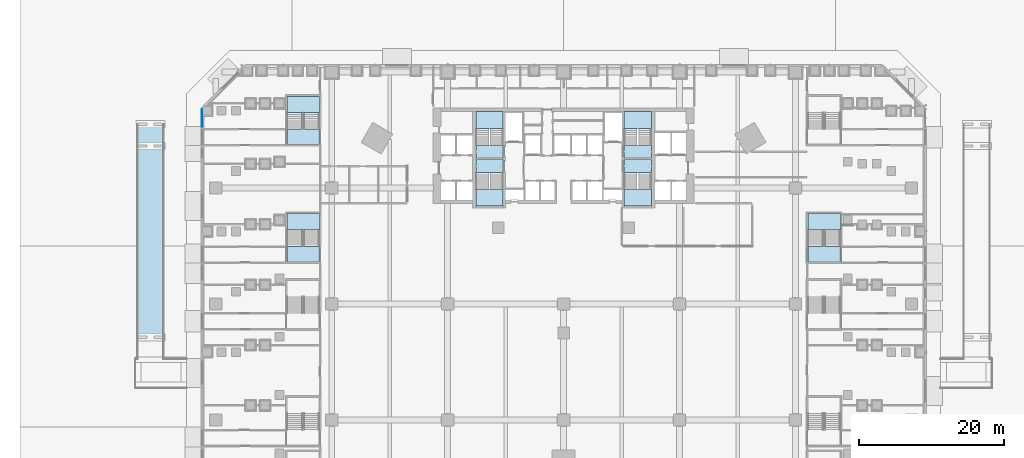
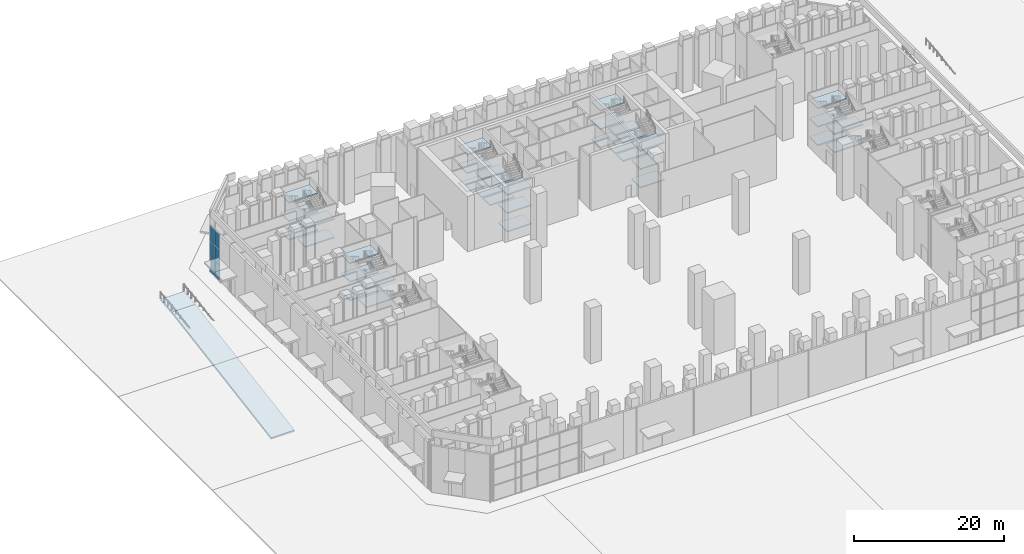
# One storey, part 16 of 51: 37 slabs, 6 plates, 9 elements without a shape of their own.
"""IFC4 building model written with IfcOpenShell, lengths in metres."""

from ifc_helpers import new_model, si_unit, direction, frame, origin, origin_2d, place, context, subcontext, project, spatial, polyline, rectangle, outline, extrude, material, layer, layer_set, type_object, element, aggregate, save


model = new_model("IFC4")

# Units and contexts
model_context = context("Model", 3, precision=1e-05, world=origin(), true_north=direction((0.0, 1.0)))
body_context = subcontext(model_context, "Body", "Model", "MODEL_VIEW")
ifc_project = project(units=[si_unit("LENGTHUNIT", "METRE"), si_unit("AREAUNIT", "SQUARE_METRE"), si_unit("VOLUMEUNIT", "CUBIC_METRE"), si_unit("PLANEANGLEUNIT", "RADIAN"), si_unit("MASSUNIT", "GRAM", prefix="KILO")], contexts=[model_context])

# Site, building, storey
site_placement = place(None, origin())
site = spatial("IfcSite", under=ifc_project, at=site_placement, CompositionType="ELEMENT")
building_placement = place(site_placement, origin())
building = spatial("IfcBuilding", under=site, at=building_placement, Name="Calabash Gate Tower", CompositionType="ELEMENT")
storey_placement = place(building_placement, origin())
storey = spatial("IfcBuildingStorey", under=building, at=storey_placement, Name="L00", CompositionType="ELEMENT", Elevation=0.0)

# Curtain wall, plates
ifc_material_1 = material(Name="Anodised aluminium frame, bronze finish, clear laminated impact-rated glazing", Category="aluminium")
curtain_wall_type = type_object("IfcCurtainWallType", Name="Curtain wall CWF podium shopfront", PredefinedType="NOTDEFINED", material=ifc_material_1)
curtain_wall_placement = place(storey_placement, origin())
curtain_wall = element("IfcCurtainWall", 1, at=curtain_wall_placement, inside=storey, type_object=curtain_wall_type, Name="Curtain wall CWF L00 6.0.0", PredefinedType="NOTDEFINED")
ifc_material_2 = material(Name="Clear laminated impact-rated glazing", Category="glass")
ifc_layer_1 = layer(ifc_material_2, 0.035888671875)
ifc_layer_set_1 = layer_set([ifc_layer_1], Name="Glass panel CWF 36")
plate_type = type_object("IfcPlateType", Name="Glass panel CWF 36", PredefinedType="CURTAIN_PANEL", material=ifc_layer_set_1)
plate_1_placement = place(storey_placement, frame((-49.89990234375, 18.296142578125, 0.06494140625), z_axis=(0.0, 0.0, 1.0), x_axis=(0.0, -1.0, 0.0)))
plate_1 = element("IfcPlate", 2, at=plate_1_placement, type_object=plate_type, Name="CWF panel 1.1", PredefinedType="CURTAIN_PANEL", context=body_context, shape_type="SweptSolid", body=[
    extrude(rectangle(XDim=1.177490234375, YDim=0.035888671875, at=origin_2d()), origin(), (0.0, 0.0, 1.0), 2.435791015625),
])
plate_2_placement = place(storey_placement, frame((-49.89990234375, 18.296142578125, 2.56591796875), z_axis=(0.0, 0.0, 1.0), x_axis=(0.0, -1.0, 0.0)))
plate_2 = element("IfcPlate", 3, at=plate_2_placement, type_object=plate_type, Name="CWF panel 1.2", PredefinedType="CURTAIN_PANEL", context=body_context, shape_type="SweptSolid", body=[
    extrude(rectangle(XDim=1.177490234375, YDim=0.035888671875, at=origin_2d()), origin(), (0.0, 0.0, 1.0), 2.46826171875),
])
plate_3_placement = place(storey_placement, frame((-49.89990234375, 18.296142578125, 5.09912109375), z_axis=(0.0, 0.0, 1.0), x_axis=(0.0, -1.0, 0.0)))
plate_3 = element("IfcPlate", 4, at=plate_3_placement, type_object=plate_type, Name="CWF panel 1.3", PredefinedType="CURTAIN_PANEL", context=body_context, shape_type="SweptSolid", body=[
    extrude(rectangle(XDim=1.177490234375, YDim=0.035888671875, at=origin_2d()), origin(), (0.0, 0.0, 1.0), 2.435791015625),
])
plate_4_placement = place(storey_placement, frame((-49.89990234375, 17.0537109375, 0.06494140625), z_axis=(0.0, 0.0, 1.0), x_axis=(0.0, -1.0, 0.0)))
plate_4 = element("IfcPlate", 5, at=plate_4_placement, type_object=plate_type, Name="CWF panel 2.1", PredefinedType="CURTAIN_PANEL", context=body_context, shape_type="SweptSolid", body=[
    extrude(rectangle(XDim=1.177490234375, YDim=0.035888671875, at=origin_2d()), origin(), (0.0, 0.0, 1.0), 2.435791015625),
])
plate_5_placement = place(storey_placement, frame((-49.89990234375, 17.0537109375, 2.56591796875), z_axis=(0.0, 0.0, 1.0), x_axis=(0.0, -1.0, 0.0)))
plate_5 = element("IfcPlate", 6, at=plate_5_placement, type_object=plate_type, Name="CWF panel 2.2", PredefinedType="CURTAIN_PANEL", context=body_context, shape_type="SweptSolid", body=[
    extrude(rectangle(XDim=1.177490234375, YDim=0.035888671875, at=origin_2d()), origin(), (0.0, 0.0, 1.0), 2.46826171875),
])
plate_6_placement = place(storey_placement, frame((-49.89990234375, 17.0537109375, 5.09912109375), z_axis=(0.0, 0.0, 1.0), x_axis=(0.0, -1.0, 0.0)))
plate_6 = element("IfcPlate", 7, at=plate_6_placement, type_object=plate_type, Name="CWF panel 2.3", PredefinedType="CURTAIN_PANEL", context=body_context, shape_type="SweptSolid", body=[
    extrude(rectangle(XDim=1.177490234375, YDim=0.035888671875, at=origin_2d()), origin(), (0.0, 0.0, 1.0), 2.435791015625),
])
aggregate(curtain_wall, [plate_1, plate_2, plate_3, plate_4, plate_5, plate_6])

# Stair, slabs
ifc_material_3 = material(Name="Concrete C40/50", Category="concrete")
stair_type_1 = type_object("IfcStairType", Name="Exit stair 54 risers of 166.7 mm", PredefinedType="HALF_TURN_STAIR", material=ifc_material_3)
stair_1_placement = place(storey_placement, origin())
stair_1 = element("IfcStair", 8, at=stair_1_placement, inside=storey, type_object=stair_type_1, Name="L00 Exit stair ST1", PredefinedType="HALF_TURN_STAIR")
ifc_material_4 = material(Name="Concrete C40/50", Category="concrete")
ifc_layer_2 = layer(ifc_material_4, 0.199951171875)
ifc_layer_set_2 = layer_set([ifc_layer_2], Name="Stair landing SL200")
slab_type_1 = type_object("IfcSlabType", Name="Stair landing SL200", PredefinedType="LANDING", material=ifc_layer_set_2)
slab_1_placement = place(storey_placement, frame((0.0, 0.0, 1.300048828125)))
slab_1 = element("IfcSlab", 9, at=slab_1_placement, type_object=slab_type_1, Name="ST1 landing 1", PredefinedType="LANDING", context=body_context, shape_type="SweptSolid", body=[
    extrude(outline(polyline([(-8.35009765625, 16.1845703125), (-8.35009765625, 18.552490234375), (-12.10009765625, 18.552490234375), (-12.10009765625, 16.1845703125), (-8.35009765625, 16.1845703125)])), origin(), (0.0, 0.0, 1.0), 0.199951171875),
])
slab_2_placement = place(storey_placement, frame((0.0, 0.0, 2.800048828125)))
slab_2 = element("IfcSlab", 10, at=slab_2_placement, type_object=slab_type_1, Name="ST1 landing 2", PredefinedType="LANDING", context=body_context, shape_type="SweptSolid", body=[
    extrude(outline(polyline([(-8.35009765625, 12.152587890625), (-8.35009765625, 13.95263671875), (-12.10009765625, 13.95263671875), (-12.10009765625, 12.152587890625), (-8.35009765625, 12.152587890625)])), origin(), (0.0, 0.0, 1.0), 0.199951171875),
])
slab_3_placement = place(storey_placement, frame((0.0, 0.0, 4.300048828125)))
slab_3 = element("IfcSlab", 11, at=slab_3_placement, type_object=slab_type_1, Name="ST1 landing 3", PredefinedType="LANDING", context=body_context, shape_type="SweptSolid", body=[
    extrude(outline(polyline([(-8.35009765625, 16.1845703125), (-8.35009765625, 18.552490234375), (-12.10009765625, 18.552490234375), (-12.10009765625, 16.1845703125), (-8.35009765625, 16.1845703125)])), origin(), (0.0, 0.0, 1.0), 0.199951171875),
])
slab_4_placement = place(storey_placement, frame((0.0, 0.0, 5.800048828125)))
slab_4 = element("IfcSlab", 12, at=slab_4_placement, type_object=slab_type_1, Name="ST1 landing 4", PredefinedType="LANDING", context=body_context, shape_type="SweptSolid", body=[
    extrude(outline(polyline([(-8.35009765625, 12.152587890625), (-8.35009765625, 13.95263671875), (-12.10009765625, 13.95263671875), (-12.10009765625, 12.152587890625), (-8.35009765625, 12.152587890625)])), origin(), (0.0, 0.0, 1.0), 0.199951171875),
])
slab_5_placement = place(storey_placement, frame((0.0, 0.0, 7.300048828125)))
slab_5 = element("IfcSlab", 13, at=slab_5_placement, type_object=slab_type_1, Name="ST1 landing 5", PredefinedType="LANDING", context=body_context, shape_type="SweptSolid", body=[
    extrude(outline(polyline([(-8.35009765625, 16.1845703125), (-8.35009765625, 18.552490234375), (-12.10009765625, 18.552490234375), (-12.10009765625, 16.1845703125), (-8.35009765625, 16.1845703125)])), origin(), (0.0, 0.0, 1.0), 0.199951171875),
])
aggregate(stair_1, [slab_1, slab_2, slab_3, slab_4, slab_5])

stair_2_placement = place(storey_placement, origin())
stair_2 = element("IfcStair", 14, at=stair_2_placement, inside=storey, type_object=stair_type_1, Name="L00 Exit stair ST2", PredefinedType="HALF_TURN_STAIR")
slab_6_placement = place(storey_placement, frame((0.0, 0.0, 1.300048828125)))
slab_6 = element("IfcSlab", 15, at=slab_6_placement, type_object=slab_type_1, Name="ST2 landing 1", PredefinedType="LANDING", context=body_context, shape_type="SweptSolid", body=[
    extrude(outline(polyline([(-12.10009765625, 7.87060546875), (-12.10009765625, 5.502685546875), (-8.35009765625, 5.502685546875), (-8.35009765625, 7.87060546875), (-12.10009765625, 7.87060546875)])), origin(), (0.0, 0.0, 1.0), 0.199951171875),
])
slab_7_placement = place(storey_placement, frame((0.0, 0.0, 2.800048828125)))
slab_7 = element("IfcSlab", 16, at=slab_7_placement, type_object=slab_type_1, Name="ST2 landing 2", PredefinedType="LANDING", context=body_context, shape_type="SweptSolid", body=[
    extrude(outline(polyline([(-12.10009765625, 11.902587890625), (-12.10009765625, 10.1025390625), (-8.35009765625, 10.1025390625), (-8.35009765625, 11.902587890625), (-12.10009765625, 11.902587890625)])), origin(), (0.0, 0.0, 1.0), 0.199951171875),
])
slab_8_placement = place(storey_placement, frame((0.0, 0.0, 4.300048828125)))
slab_8 = element("IfcSlab", 17, at=slab_8_placement, type_object=slab_type_1, Name="ST2 landing 3", PredefinedType="LANDING", context=body_context, shape_type="SweptSolid", body=[
    extrude(outline(polyline([(-12.10009765625, 7.87060546875), (-12.10009765625, 5.502685546875), (-8.35009765625, 5.502685546875), (-8.35009765625, 7.87060546875), (-12.10009765625, 7.87060546875)])), origin(), (0.0, 0.0, 1.0), 0.199951171875),
])
slab_9_placement = place(storey_placement, frame((0.0, 0.0, 5.800048828125)))
slab_9 = element("IfcSlab", 18, at=slab_9_placement, type_object=slab_type_1, Name="ST2 landing 4", PredefinedType="LANDING", context=body_context, shape_type="SweptSolid", body=[
    extrude(outline(polyline([(-12.10009765625, 11.902587890625), (-12.10009765625, 10.1025390625), (-8.35009765625, 10.1025390625), (-8.35009765625, 11.902587890625), (-12.10009765625, 11.902587890625)])), origin(), (0.0, 0.0, 1.0), 0.199951171875),
])
slab_10_placement = place(storey_placement, frame((0.0, 0.0, 7.300048828125)))
slab_10 = element("IfcSlab", 19, at=slab_10_placement, type_object=slab_type_1, Name="ST2 landing 5", PredefinedType="LANDING", context=body_context, shape_type="SweptSolid", body=[
    extrude(outline(polyline([(-12.10009765625, 7.87060546875), (-12.10009765625, 5.502685546875), (-8.35009765625, 5.502685546875), (-8.35009765625, 7.87060546875), (-12.10009765625, 7.87060546875)])), origin(), (0.0, 0.0, 1.0), 0.199951171875),
])
aggregate(stair_2, [slab_6, slab_7, slab_8, slab_9, slab_10])

stair_3_placement = place(storey_placement, origin())
stair_3 = element("IfcStair", 20, at=stair_3_placement, inside=storey, type_object=stair_type_1, Name="L00 Exit stair ST3", PredefinedType="HALF_TURN_STAIR")
slab_11_placement = place(storey_placement, frame((0.0, 0.0, 1.300048828125)))
slab_11 = element("IfcSlab", 21, at=slab_11_placement, type_object=slab_type_1, Name="ST3 landing 1", PredefinedType="LANDING", context=body_context, shape_type="SweptSolid", body=[
    extrude(outline(polyline([(12.10009765625, 16.1845703125), (12.10009765625, 18.552490234375), (8.35009765625, 18.552490234375), (8.35009765625, 16.1845703125), (12.10009765625, 16.1845703125)])), origin(), (0.0, 0.0, 1.0), 0.199951171875),
])
slab_12_placement = place(storey_placement, frame((0.0, 0.0, 2.800048828125)))
slab_12 = element("IfcSlab", 22, at=slab_12_placement, type_object=slab_type_1, Name="ST3 landing 2", PredefinedType="LANDING", context=body_context, shape_type="SweptSolid", body=[
    extrude(outline(polyline([(12.10009765625, 12.152587890625), (12.10009765625, 13.95263671875), (8.35009765625, 13.95263671875), (8.35009765625, 12.152587890625), (12.10009765625, 12.152587890625)])), origin(), (0.0, 0.0, 1.0), 0.199951171875),
])
slab_13_placement = place(storey_placement, frame((0.0, 0.0, 4.300048828125)))
slab_13 = element("IfcSlab", 23, at=slab_13_placement, type_object=slab_type_1, Name="ST3 landing 3", PredefinedType="LANDING", context=body_context, shape_type="SweptSolid", body=[
    extrude(outline(polyline([(12.10009765625, 16.1845703125), (12.10009765625, 18.552490234375), (8.35009765625, 18.552490234375), (8.35009765625, 16.1845703125), (12.10009765625, 16.1845703125)])), origin(), (0.0, 0.0, 1.0), 0.199951171875),
])
slab_14_placement = place(storey_placement, frame((0.0, 0.0, 5.800048828125)))
slab_14 = element("IfcSlab", 24, at=slab_14_placement, type_object=slab_type_1, Name="ST3 landing 4", PredefinedType="LANDING", context=body_context, shape_type="SweptSolid", body=[
    extrude(outline(polyline([(12.10009765625, 12.152587890625), (12.10009765625, 13.95263671875), (8.35009765625, 13.95263671875), (8.35009765625, 12.152587890625), (12.10009765625, 12.152587890625)])), origin(), (0.0, 0.0, 1.0), 0.199951171875),
])
slab_15_placement = place(storey_placement, frame((0.0, 0.0, 7.300048828125)))
slab_15 = element("IfcSlab", 25, at=slab_15_placement, type_object=slab_type_1, Name="ST3 landing 5", PredefinedType="LANDING", context=body_context, shape_type="SweptSolid", body=[
    extrude(outline(polyline([(12.10009765625, 16.1845703125), (12.10009765625, 18.552490234375), (8.35009765625, 18.552490234375), (8.35009765625, 16.1845703125), (12.10009765625, 16.1845703125)])), origin(), (0.0, 0.0, 1.0), 0.199951171875),
])
aggregate(stair_3, [slab_11, slab_12, slab_13, slab_14, slab_15])

stair_4_placement = place(storey_placement, origin())
stair_4 = element("IfcStair", 26, at=stair_4_placement, inside=storey, type_object=stair_type_1, Name="L00 Exit stair ST4", PredefinedType="HALF_TURN_STAIR")
slab_16_placement = place(storey_placement, frame((0.0, 0.0, 1.300048828125)))
slab_16 = element("IfcSlab", 27, at=slab_16_placement, type_object=slab_type_1, Name="ST4 landing 1", PredefinedType="LANDING", context=body_context, shape_type="SweptSolid", body=[
    extrude(outline(polyline([(8.35009765625, 7.87060546875), (8.35009765625, 5.502685546875), (12.10009765625, 5.502685546875), (12.10009765625, 7.87060546875), (8.35009765625, 7.87060546875)])), origin(), (0.0, 0.0, 1.0), 0.199951171875),
])
slab_17_placement = place(storey_placement, frame((0.0, 0.0, 2.800048828125)))
slab_17 = element("IfcSlab", 28, at=slab_17_placement, type_object=slab_type_1, Name="ST4 landing 2", PredefinedType="LANDING", context=body_context, shape_type="SweptSolid", body=[
    extrude(outline(polyline([(8.35009765625, 11.902587890625), (8.35009765625, 10.1025390625), (12.10009765625, 10.1025390625), (12.10009765625, 11.902587890625), (8.35009765625, 11.902587890625)])), origin(), (0.0, 0.0, 1.0), 0.199951171875),
])
slab_18_placement = place(storey_placement, frame((0.0, 0.0, 4.300048828125)))
slab_18 = element("IfcSlab", 29, at=slab_18_placement, type_object=slab_type_1, Name="ST4 landing 3", PredefinedType="LANDING", context=body_context, shape_type="SweptSolid", body=[
    extrude(outline(polyline([(8.35009765625, 7.87060546875), (8.35009765625, 5.502685546875), (12.10009765625, 5.502685546875), (12.10009765625, 7.87060546875), (8.35009765625, 7.87060546875)])), origin(), (0.0, 0.0, 1.0), 0.199951171875),
])
slab_19_placement = place(storey_placement, frame((0.0, 0.0, 5.800048828125)))
slab_19 = element("IfcSlab", 30, at=slab_19_placement, type_object=slab_type_1, Name="ST4 landing 4", PredefinedType="LANDING", context=body_context, shape_type="SweptSolid", body=[
    extrude(outline(polyline([(8.35009765625, 11.902587890625), (8.35009765625, 10.1025390625), (12.10009765625, 10.1025390625), (12.10009765625, 11.902587890625), (8.35009765625, 11.902587890625)])), origin(), (0.0, 0.0, 1.0), 0.199951171875),
])
slab_20_placement = place(storey_placement, frame((0.0, 0.0, 7.300048828125)))
slab_20 = element("IfcSlab", 31, at=slab_20_placement, type_object=slab_type_1, Name="ST4 landing 5", PredefinedType="LANDING", context=body_context, shape_type="SweptSolid", body=[
    extrude(outline(polyline([(8.35009765625, 7.87060546875), (8.35009765625, 5.502685546875), (12.10009765625, 5.502685546875), (12.10009765625, 7.87060546875), (8.35009765625, 7.87060546875)])), origin(), (0.0, 0.0, 1.0), 0.199951171875),
])
aggregate(stair_4, [slab_16, slab_17, slab_18, slab_19, slab_20])

ifc_material_5 = material(Name="Concrete C40/50", Category="concrete")
stair_type_2 = type_object("IfcStairType", Name="Public stair 54 risers of 166.7 mm", PredefinedType="HALF_TURN_STAIR", material=ifc_material_5)
stair_5_placement = place(storey_placement, origin())
stair_5 = element("IfcStair", 32, at=stair_5_placement, inside=storey, type_object=stair_type_2, Name="L00 Public Stair PS4", PredefinedType="HALF_TURN_STAIR")
slab_21_placement = place(storey_placement, frame((0.0, 0.0, 1.300048828125)))
slab_21 = element("IfcSlab", 33, at=slab_21_placement, type_object=slab_type_1, Name="PS4 landing 1", PredefinedType="LANDING", context=body_context, shape_type="SweptSolid", body=[
    extrude(outline(polyline([(-33.699951171875, 2.19189453125), (-33.699951171875, 4.449951171875), (-38.169921875, 4.449951171875), (-38.169921875, 2.19189453125), (-33.699951171875, 2.19189453125)])), origin(), (0.0, 0.0, 1.0), 0.199951171875),
])
slab_22_placement = place(storey_placement, frame((0.0, 0.0, 2.800048828125)))
slab_22 = element("IfcSlab", 34, at=slab_22_placement, type_object=slab_type_1, Name="PS4 landing 2", PredefinedType="LANDING", context=body_context, shape_type="SweptSolid", body=[
    extrude(outline(polyline([(-33.699951171875, -2.199951171875), (-33.699951171875, -0.0400390625), (-38.169921875, -0.0400390625), (-38.169921875, -2.199951171875), (-33.699951171875, -2.199951171875)])), origin(), (0.0, 0.0, 1.0), 0.199951171875),
])
slab_23_placement = place(storey_placement, frame((0.0, 0.0, 4.300048828125)))
slab_23 = element("IfcSlab", 35, at=slab_23_placement, type_object=slab_type_1, Name="PS4 landing 3", PredefinedType="LANDING", context=body_context, shape_type="SweptSolid", body=[
    extrude(outline(polyline([(-33.699951171875, 2.19189453125), (-33.699951171875, 4.449951171875), (-38.169921875, 4.449951171875), (-38.169921875, 2.19189453125), (-33.699951171875, 2.19189453125)])), origin(), (0.0, 0.0, 1.0), 0.199951171875),
])
slab_24_placement = place(storey_placement, frame((0.0, 0.0, 5.800048828125)))
slab_24 = element("IfcSlab", 36, at=slab_24_placement, type_object=slab_type_1, Name="PS4 landing 4", PredefinedType="LANDING", context=body_context, shape_type="SweptSolid", body=[
    extrude(outline(polyline([(-33.699951171875, -2.199951171875), (-33.699951171875, -0.0400390625), (-38.169921875, -0.0400390625), (-38.169921875, -2.199951171875), (-33.699951171875, -2.199951171875)])), origin(), (0.0, 0.0, 1.0), 0.199951171875),
])
slab_25_placement = place(storey_placement, frame((0.0, 0.0, 7.300048828125)))
slab_25 = element("IfcSlab", 37, at=slab_25_placement, type_object=slab_type_1, Name="PS4 landing 5", PredefinedType="LANDING", context=body_context, shape_type="SweptSolid", body=[
    extrude(outline(polyline([(-33.699951171875, 2.19189453125), (-33.699951171875, 4.449951171875), (-38.169921875, 4.449951171875), (-38.169921875, 2.19189453125), (-33.699951171875, 2.19189453125)])), origin(), (0.0, 0.0, 1.0), 0.199951171875),
])
aggregate(stair_5, [slab_21, slab_22, slab_23, slab_24, slab_25])

stair_6_placement = place(storey_placement, origin())
stair_6 = element("IfcStair", 38, at=stair_6_placement, inside=storey, type_object=stair_type_2, Name="L00 Public Stair PS5", PredefinedType="HALF_TURN_STAIR")
slab_26_placement = place(storey_placement, frame((0.0, 0.0, 1.300048828125)))
slab_26 = element("IfcSlab", 39, at=slab_26_placement, type_object=slab_type_1, Name="PS5 landing 1", PredefinedType="LANDING", context=body_context, shape_type="SweptSolid", body=[
    extrude(outline(polyline([(-33.699951171875, 18.39208984375), (-33.699951171875, 20.64990234375), (-38.169921875, 20.64990234375), (-38.169921875, 18.39208984375), (-33.699951171875, 18.39208984375)])), origin(), (0.0, 0.0, 1.0), 0.199951171875),
])
slab_27_placement = place(storey_placement, frame((0.0, 0.0, 2.800048828125)))
slab_27 = element("IfcSlab", 40, at=slab_27_placement, type_object=slab_type_1, Name="PS5 landing 2", PredefinedType="LANDING", context=body_context, shape_type="SweptSolid", body=[
    extrude(outline(polyline([(-33.699951171875, 14.0), (-33.699951171875, 16.159912109375), (-38.169921875, 16.159912109375), (-38.169921875, 14.0), (-33.699951171875, 14.0)])), origin(), (0.0, 0.0, 1.0), 0.199951171875),
])
slab_28_placement = place(storey_placement, frame((0.0, 0.0, 4.300048828125)))
slab_28 = element("IfcSlab", 41, at=slab_28_placement, type_object=slab_type_1, Name="PS5 landing 3", PredefinedType="LANDING", context=body_context, shape_type="SweptSolid", body=[
    extrude(outline(polyline([(-33.699951171875, 18.39208984375), (-33.699951171875, 20.64990234375), (-38.169921875, 20.64990234375), (-38.169921875, 18.39208984375), (-33.699951171875, 18.39208984375)])), origin(), (0.0, 0.0, 1.0), 0.199951171875),
])
slab_29_placement = place(storey_placement, frame((0.0, 0.0, 5.800048828125)))
slab_29 = element("IfcSlab", 42, at=slab_29_placement, type_object=slab_type_1, Name="PS5 landing 4", PredefinedType="LANDING", context=body_context, shape_type="SweptSolid", body=[
    extrude(outline(polyline([(-33.699951171875, 14.0), (-33.699951171875, 16.159912109375), (-38.169921875, 16.159912109375), (-38.169921875, 14.0), (-33.699951171875, 14.0)])), origin(), (0.0, 0.0, 1.0), 0.199951171875),
])
slab_30_placement = place(storey_placement, frame((0.0, 0.0, 7.300048828125)))
slab_30 = element("IfcSlab", 43, at=slab_30_placement, type_object=slab_type_1, Name="PS5 landing 5", PredefinedType="LANDING", context=body_context, shape_type="SweptSolid", body=[
    extrude(outline(polyline([(-33.699951171875, 18.39208984375), (-33.699951171875, 20.64990234375), (-38.169921875, 20.64990234375), (-38.169921875, 18.39208984375), (-33.699951171875, 18.39208984375)])), origin(), (0.0, 0.0, 1.0), 0.199951171875),
])
aggregate(stair_6, [slab_26, slab_27, slab_28, slab_29, slab_30])

stair_7_placement = place(storey_placement, origin())
stair_7 = element("IfcStair", 44, at=stair_7_placement, inside=storey, type_object=stair_type_2, Name="L00 Public Stair PS9", PredefinedType="HALF_TURN_STAIR")
slab_31_placement = place(storey_placement, frame((0.0, 0.0, 1.300048828125)))
slab_31 = element("IfcSlab", 45, at=slab_31_placement, type_object=slab_type_1, Name="PS9 landing 1", PredefinedType="LANDING", context=body_context, shape_type="SweptSolid", body=[
    extrude(outline(polyline([(38.169921875, 2.19189453125), (38.169921875, 4.449951171875), (33.699951171875, 4.449951171875), (33.699951171875, 2.19189453125), (38.169921875, 2.19189453125)])), origin(), (0.0, 0.0, 1.0), 0.199951171875),
])
slab_32_placement = place(storey_placement, frame((0.0, 0.0, 2.800048828125)))
slab_32 = element("IfcSlab", 46, at=slab_32_placement, type_object=slab_type_1, Name="PS9 landing 2", PredefinedType="LANDING", context=body_context, shape_type="SweptSolid", body=[
    extrude(outline(polyline([(38.169921875, -2.199951171875), (38.169921875, -0.0400390625), (33.699951171875, -0.0400390625), (33.699951171875, -2.199951171875), (38.169921875, -2.199951171875)])), origin(), (0.0, 0.0, 1.0), 0.199951171875),
])
slab_33_placement = place(storey_placement, frame((0.0, 0.0, 4.300048828125)))
slab_33 = element("IfcSlab", 47, at=slab_33_placement, type_object=slab_type_1, Name="PS9 landing 3", PredefinedType="LANDING", context=body_context, shape_type="SweptSolid", body=[
    extrude(outline(polyline([(38.169921875, 2.19189453125), (38.169921875, 4.449951171875), (33.699951171875, 4.449951171875), (33.699951171875, 2.19189453125), (38.169921875, 2.19189453125)])), origin(), (0.0, 0.0, 1.0), 0.199951171875),
])
slab_34_placement = place(storey_placement, frame((0.0, 0.0, 5.800048828125)))
slab_34 = element("IfcSlab", 48, at=slab_34_placement, type_object=slab_type_1, Name="PS9 landing 4", PredefinedType="LANDING", context=body_context, shape_type="SweptSolid", body=[
    extrude(outline(polyline([(38.169921875, -2.199951171875), (38.169921875, -0.0400390625), (33.699951171875, -0.0400390625), (33.699951171875, -2.199951171875), (38.169921875, -2.199951171875)])), origin(), (0.0, 0.0, 1.0), 0.199951171875),
])
slab_35_placement = place(storey_placement, frame((0.0, 0.0, 7.300048828125)))
slab_35 = element("IfcSlab", 49, at=slab_35_placement, type_object=slab_type_1, Name="PS9 landing 5", PredefinedType="LANDING", context=body_context, shape_type="SweptSolid", body=[
    extrude(outline(polyline([(38.169921875, 2.19189453125), (38.169921875, 4.449951171875), (33.699951171875, 4.449951171875), (33.699951171875, 2.19189453125), (38.169921875, 2.19189453125)])), origin(), (0.0, 0.0, 1.0), 0.199951171875),
])
aggregate(stair_7, [slab_31, slab_32, slab_33, slab_34, slab_35])

# Assembly, slabs
assembly_placement = place(storey_placement, origin())
assembly = element("IfcElementAssembly", 50, at=assembly_placement, inside=storey, Name="Exit Ramp", ObjectType="Vehicle ramp", PredefinedType="USERDEFINED")
ifc_material_6 = material(Name="Concrete C40/50", Category="concrete")
ifc_layer_3 = layer(ifc_material_6, 0.300048828125)
ifc_layer_set_3 = layer_set([ifc_layer_3], Name="Vehicle ramp slab 300 Concrete C40/50")
slab_type_2 = type_object("IfcSlabType", Name="Vehicle ramp slab 300 Concrete C40/50", PredefinedType="FLOOR", material=ifc_layer_set_3)
slab_36_placement = place(storey_placement, frame((-58.800048828125, -12.60009765625, -4.699951171875), z_axis=(0.0, -0.164394549632, 0.986394663434), x_axis=(1.0, 0.0, 0.0)))
slab_36 = element("IfcSlab", 51, at=slab_36_placement, type_object=slab_type_2, Name="Exit Ramp slab 2", PredefinedType="FLOOR", context=body_context, shape_type="SweptSolid", body=[
    extrude(outline(polyline([(0.0, 0.0), (3.60009765625, 0.0), (3.60009765625, 26.764404296875), (0.0, 26.764404296875), (0.0, 0.0)])), origin(), (0.0, 0.0, -1.0), 0.300048828125),
])
slab_37_placement = place(storey_placement, frame((-58.800048828125, 13.800048828125, -0.300048828125), z_axis=(0.0, -0.0995197539, 0.995035586592), x_axis=(1.0, 0.0, 0.0)))
slab_37 = element("IfcSlab", 52, at=slab_37_placement, type_object=slab_type_2, Name="Exit Ramp slab 3", PredefinedType="FLOOR", context=body_context, shape_type="SweptSolid", body=[
    extrude(outline(polyline([(0.0, 0.0), (3.60009765625, 0.0), (3.60009765625, 3.014892578125), (0.0, 3.014892578125), (0.0, 0.0)])), origin(), (0.0, 0.0, -1.0), 0.300048828125),
])
aggregate(assembly, [slab_36, slab_37])

save(model, "model.ifc")
